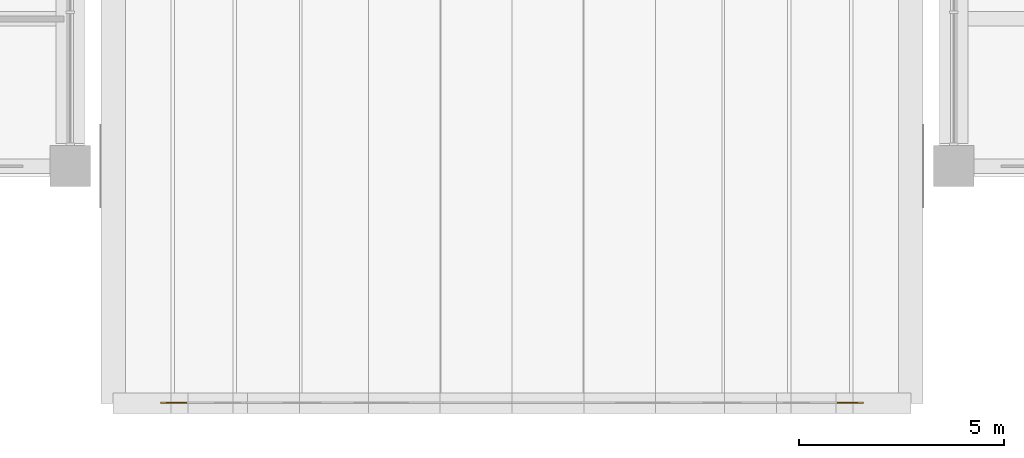
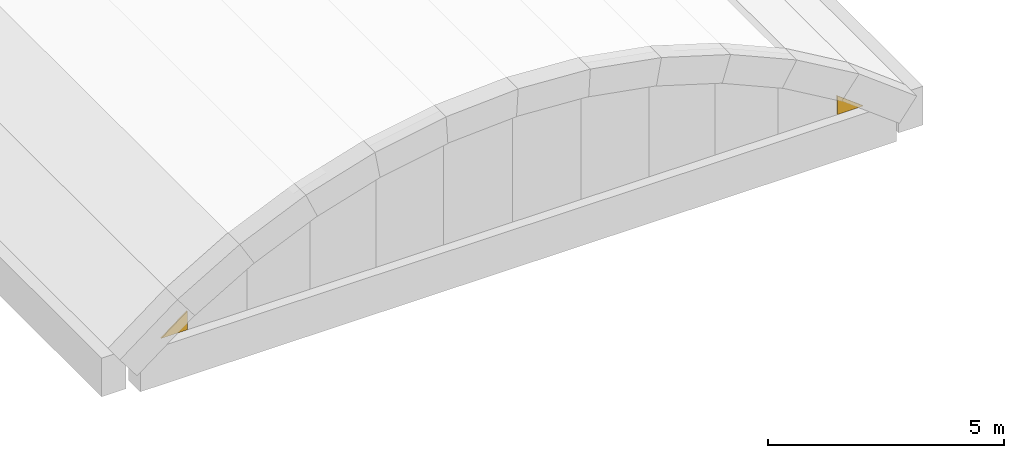
# One storey, part 44 of 45: 2 coverings.
"""IFC4 building model written with IfcOpenShell, lengths in metres."""

from ifc_helpers import new_model, si_unit, direction, frame, origin, place, context, subcontext, project, spatial, polyline, outline, extrude, material, layer, layer_set, type_object, element, save


model = new_model("IFC4")

# Units and contexts
model_context = context("Model", 3, precision=1e-05, world=origin(), true_north=direction((0.0, 1.0)))
body_context = subcontext(model_context, "Body", "Model", "MODEL_VIEW")
ifc_project = project(units=[si_unit("LENGTHUNIT", "METRE"), si_unit("AREAUNIT", "SQUARE_METRE"), si_unit("VOLUMEUNIT", "CUBIC_METRE"), si_unit("PLANEANGLEUNIT", "RADIAN"), si_unit("MASSUNIT", "GRAM", prefix="KILO")], contexts=[model_context])

# Site, building, storey
site_placement = place(None, origin())
site = spatial("IfcSite", under=ifc_project, at=site_placement, CompositionType="ELEMENT")
building_placement = place(site_placement, origin())
building = spatial("IfcBuilding", under=site, at=building_placement, Name="Basin Gate Institute", CompositionType="ELEMENT")
storey_placement = place(building_placement, frame((0.0, 0.0, 22.199951171875)))
storey = spatial("IfcBuildingStorey", under=building, at=storey_placement, Name="L04", CompositionType="ELEMENT", Elevation=22.199951171875)

# Coverings
ifc_material = material(Name="Laminated toughened glass", Category="glass")
ifc_layer = layer(ifc_material, 0.030029296875)
ifc_layer_set = layer_set([ifc_layer], Name="Atrium tympanum glazing PN88")
covering_type = type_object("IfcCoveringType", Name="Atrium tympanum glazing PN88", PredefinedType="ROOFING", material=ifc_layer_set)
covering_1_placement = place(storey_placement, frame((81.408935546875, 29.300048828125, 0.0), z_axis=(0.0, -1.0, 0.0), x_axis=(1.0, 0.0, 0.0)))
element("IfcCovering", 1, at=covering_1_placement, inside=storey, type_object=covering_type, material=ifc_layer_set, Name="Atrium tympanum glazing S 1", PredefinedType="ROOFING", context=body_context, shape_type="SweptSolid", body=[
    extrude(outline(polyline([(0.0, 0.0), (0.639892578125, 0.0), (0.639892578125, 0.485107421875), (0.0, 0.0)])), origin(), (0.0, 0.0, -1.0), 0.030029296875),
])
covering_2_placement = place(storey_placement, frame((97.951171875, 29.300048828125, 0.0), z_axis=(0.0, -1.0, 0.0), x_axis=(1.0, 0.0, 0.0)))
element("IfcCovering", 2, at=covering_2_placement, inside=storey, type_object=covering_type, material=ifc_layer_set, Name="Atrium tympanum glazing S 12", PredefinedType="ROOFING", context=body_context, shape_type="SweptSolid", body=[
    extrude(outline(polyline([(0.0, 0.0), (0.639892578125, 0.0), (0.0, 0.485107421875), (0.0, 0.0)])), origin(), (0.0, 0.0, -1.0), 0.030029296875),
])

save(model, "model.ifc")
